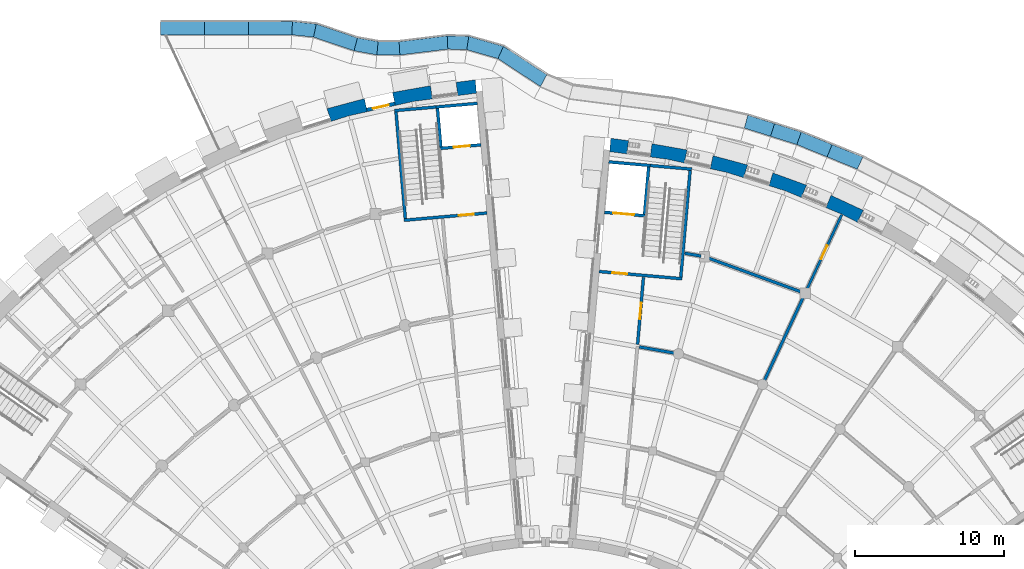
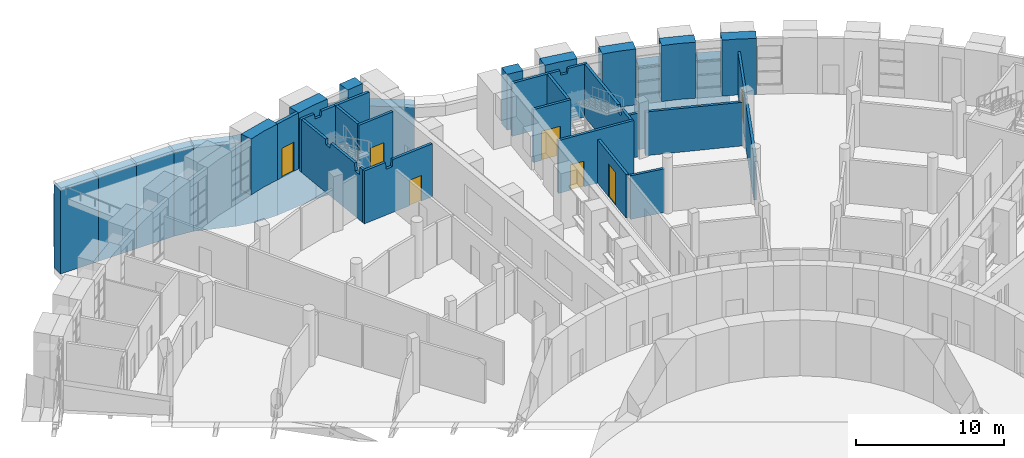
# One storey, part 59 of 85: 42 walls, 7 doors, 7 openings.
"""IFC4 building model written with IfcOpenShell, lengths in metres."""

from ifc_helpers import new_model, si_unit, direction, frame, frame_2d, origin, place, context, subcontext, project, spatial, polyline, rectangle, outline, extrude, material, layer, layer_set, type_object, element, fill, save


model = new_model("IFC4")

# Units and contexts
model_context = context("Model", 3, precision=1e-05, world=origin(), true_north=direction((0.0, 1.0)))
body_context = subcontext(model_context, "Body", "Model", "MODEL_VIEW")
ifc_project = project(units=[si_unit("LENGTHUNIT", "METRE"), si_unit("AREAUNIT", "SQUARE_METRE"), si_unit("VOLUMEUNIT", "CUBIC_METRE"), si_unit("PLANEANGLEUNIT", "RADIAN"), si_unit("MASSUNIT", "GRAM", prefix="KILO")], contexts=[model_context])

# Site, building, storey
site_placement = place(None, origin())
site = spatial("IfcSite", under=ifc_project, at=site_placement, CompositionType="ELEMENT")
building_placement = place(site_placement, origin())
building = spatial("IfcBuilding", under=site, at=building_placement, Name="Volute Hill Aquarium", CompositionType="ELEMENT")
storey_placement = place(building_placement, origin())
storey = spatial("IfcBuildingStorey", under=building, at=storey_placement, Name="L01", CompositionType="ELEMENT", Elevation=0.0)

# Wall, opening, door
ifc_material_1 = material(Name="Concrete C30/37", Category="concrete")
ifc_layer_1 = layer(ifc_material_1, 0.199951171875)
ifc_layer_set_1 = layer_set([ifc_layer_1], Name="Core wall 200 REI 60")
wall_type_1 = type_object("IfcWallType", Name="Core wall 200 REI 60", PredefinedType="SHEAR", material=ifc_layer_set_1)
wall_1_placement = place(storey_placement, frame((3.602783203125, 38.884033203125, 0.0), z_axis=(0.0, 0.0, 1.0), x_axis=(0.996195137027, -0.087150725554, 0.0)))
wall_1 = element("IfcWall", 1, at=wall_1_placement, inside=storey, type_object=wall_type_1, Name="wc/S5-B/L01/in", PredefinedType="SHEAR", context=body_context, shape_type="SweptSolid", body=[
    extrude(rectangle(XDim=5.599853515625, YDim=0.199951171875, at=frame_2d((2.7998046875, 0.0))), origin(), (0.0, 0.0, 1.0), 4.35009765625),
])
opening_1_placement = place(wall_1_placement, frame((0.89990234375, 0.0, 0.0)))
opening_1 = element("IfcOpeningElement", 2, at=opening_1_placement, cuts=wall_1, Name="Opening D5.01.BS", PredefinedType="OPENING", context=body_context, shape_type="SweptSolid", body=[
    extrude(rectangle(XDim=1.0, YDim=2.10009765625, at=frame_2d((0.5, 1.050048828125))), frame((0.0, 0.10986328125, 0.0), z_axis=(0.0, -1.0, 0.0), x_axis=(1.0, 0.0, 0.0)), (0.0, 0.0, 1.0), 0.219970703125),
])
ifc_material_2 = material(Name="Timber, fire-rated", Category="wood")
door_type_1 = type_object("IfcDoorType", Name="Door 1000 x 2100 single EI1 30", OperationType="SINGLE_SWING_LEFT", PredefinedType="DOOR", material=ifc_material_2)
door_1_placement = place(opening_1_placement, origin())
door_1 = element("IfcDoor", 3, at=door_1_placement, inside=storey, type_object=door_type_1, Name="d/S5-B/L01/st", OperationType="SINGLE_SWING_RIGHT", OverallHeight=2.10009765625, OverallWidth=1.0, PredefinedType="DOOR", context=body_context, shape_type="SweptSolid", body=[
    extrude(rectangle(XDim=1.0, YDim=2.10009765625, at=frame_2d((0.5, 1.050048828125))), frame((0.0, 0.02490234375, 0.0), z_axis=(0.0, -1.0, 0.0), x_axis=(1.0, 0.0, 0.0)), (0.0, 0.0, 1.0), 0.050048828125),
])
fill(opening_1, door_1)

# Walls
wall_2_placement = place(storey_placement, frame((9.090576171875, 38.504150390625, 0.0), z_axis=(0.0, 0.0, 1.0), x_axis=(0.087144656612, 0.996195667941, 0.0)))
element("IfcWall", 4, at=wall_2_placement, inside=storey, type_object=wall_type_1, Name="wc/S5-B/L01/side", PredefinedType="SHEAR", context=body_context, shape_type="SweptSolid", body=[
    extrude(outline(polyline([(0.0, 0.0), (7.199951171875, 0.0), (7.199951171875, 4.35009765625), (1.93017578125, 4.35009765625), (1.880126953125, 3.760009765625), (1.380126953125, 3.760009765625), (1.330078125, 4.35009765625), (0.0, 4.35009765625), (0.0, 0.0)])), frame((0.0, 0.10009765625, 0.0), z_axis=(0.0, -1.0, 0.0), x_axis=(1.0, 0.0, 0.0)), (0.0, 0.0, 1.0), 0.199951171875),
])
wall_3_placement = place(storey_placement, frame((7.037109375, 46.01171875, 0.0), z_axis=(0.0, 0.0, 1.0), x_axis=(0.996191351034, -0.087193991338, 0.0)))
element("IfcWall", 5, at=wall_3_placement, inside=storey, type_object=wall_type_1, Name="wc/S5-B/L01/out-b", PredefinedType="SHEAR", context=body_context, shape_type="SweptSolid", body=[
    extrude(outline(polyline([(0.0, 0.0), (2.800048828125, 0.0), (2.800048828125, 4.35009765625), (1.37255859375, 4.35009765625), (1.322509765625, 3.9599609375), (0.822509765625, 3.9599609375), (0.772705078125, 4.35009765625), (0.0, 4.35009765625), (0.0, 0.0)])), frame((0.0, 0.10009765625, 0.0), z_axis=(0.0, -1.0, 0.0), x_axis=(1.0, 0.0, 0.0)), (0.0, 0.0, 1.0), 0.199951171875),
])

# Wall, opening, door
wall_4_placement = place(storey_placement, frame((-3.947021484375, 42.81884765625, 0.0), z_axis=(0.0, 0.0, 1.0), x_axis=(-0.996195137027, -0.087150725554, 0.0)))
wall_4 = element("IfcWall", 6, at=wall_4_placement, inside=storey, type_object=wall_type_1, Name="wc/S6-A/L01/in", PredefinedType="SHEAR", context=body_context, shape_type="SweptSolid", body=[
    extrude(outline(polyline([(0.0, 0.0), (5.599853515625, 0.0), (5.60009765625, 4.35009765625), (3.853271484375, 4.35009765625), (3.80322265625, 3.780029296875), (3.30322265625, 3.780029296875), (3.253173828125, 4.35009765625), (0.0, 4.35009765625), (0.0, 0.0)])), frame((0.0, 0.10009765625, 0.0), z_axis=(0.0, -1.0, 0.0), x_axis=(1.0, 0.0, 0.0)), (0.0, 0.0, 1.0), 0.199951171875),
])
opening_2_placement = place(wall_4_placement, frame((0.89990234375, 0.0, 0.0)))
opening_2 = element("IfcOpeningElement", 7, at=opening_2_placement, cuts=wall_4, Name="Opening D6.01.AS", PredefinedType="OPENING", context=body_context, shape_type="SweptSolid", body=[
    extrude(rectangle(XDim=1.0, YDim=2.10009765625, at=frame_2d((0.5, 1.050048828125))), frame((0.0, 0.10986328125, 0.0), z_axis=(0.0, -1.0, 0.0), x_axis=(1.0, 0.0, 0.0)), (0.0, 0.0, 1.0), 0.219970703125),
])
door_2_placement = place(opening_2_placement, origin())
door_2 = element("IfcDoor", 8, at=door_2_placement, inside=storey, type_object=door_type_1, Name="d/S6-A/L01/st", OperationType="SINGLE_SWING_RIGHT", OverallHeight=2.10009765625, OverallWidth=1.0, PredefinedType="DOOR", context=body_context, shape_type="SweptSolid", body=[
    extrude(rectangle(XDim=1.0, YDim=2.10009765625, at=frame_2d((0.5, 1.050048828125))), frame((0.0, 0.02490234375, 0.0), z_axis=(0.0, -1.0, 0.0), x_axis=(1.0, 0.0, 0.0)), (0.0, 0.0, 1.0), 0.050048828125),
])
fill(opening_2, door_2)

# Walls
wall_5_placement = place(storey_placement, frame((-9.434814453125, 42.439208984375, 0.0), z_axis=(0.0, 0.0, 1.0), x_axis=(-0.087144656612, 0.996195667941, 0.0)))
element("IfcWall", 9, at=wall_5_placement, inside=storey, type_object=wall_type_1, Name="wc/S6-A/L01/side", PredefinedType="SHEAR", context=body_context, shape_type="SweptSolid", body=[
    extrude(outline(polyline([(0.0, 0.0), (7.199951171875, 0.0), (7.199951171875, 4.35009765625), (4.36767578125, 4.35009765625), (4.317626953125, 3.929931640625), (3.817626953125, 3.929931640625), (3.767578125, 4.35009765625), (0.942626953125, 4.35009765625), (0.892578125, 3.72998046875), (0.392578125, 3.72998046875), (0.342529296875, 4.35009765625), (0.0, 4.35009765625), (0.0, 0.0)])), frame((0.0, 0.10009765625, 0.0), z_axis=(0.0, -1.0, 0.0), x_axis=(1.0, 0.0, 0.0)), (0.0, 0.0, 1.0), 0.199951171875),
])
wall_6_placement = place(storey_placement, frame((-7.381103515625, 49.94677734375, 0.0), z_axis=(0.0, 0.0, 1.0), x_axis=(-0.996192013865, -0.087186418157, 0.0)))
element("IfcWall", 10, at=wall_6_placement, inside=storey, type_object=wall_type_1, Name="wc/S6-A/L01/out-b", PredefinedType="SHEAR", context=body_context, shape_type="SweptSolid", body=[
    extrude(outline(polyline([(0.0, 0.0), (2.80029296875, 0.0), (2.800048828125, 4.35009765625), (1.71826171875, 4.35009765625), (1.668212890625, 3.929931640625), (1.168212890625, 3.929931640625), (1.1181640625, 4.35009765625), (0.0, 4.35009765625), (0.0, 0.0)])), frame((0.0, 0.10009765625, 0.0), z_axis=(0.0, -1.0, 0.0), x_axis=(1.0, 0.0, 0.0)), (0.0, 0.0, 1.0), 0.199951171875),
])

# Wall, opening, door
ifc_material_3 = material(Name="Gypsum board on steel studs", Category="steel")
ifc_layer_2 = layer(ifc_material_3, 0.175048828125)
ifc_layer_set_2 = layer_set([ifc_layer_2], Name="Corridor partition 175 EI 60")
wall_type_2 = type_object("IfcWallType", Name="Corridor partition 175 EI 60", PredefinedType="PARTITIONING", material=ifc_layer_set_2)
wall_7_placement = place(storey_placement, frame((19.913818359375, 42.705078125, 0.0), z_axis=(0.0, 0.0, 1.0), x_axis=(-0.422617785161, -0.906308009269, 0.0)))
wall_7 = element("IfcWall", 11, at=wall_7_placement, inside=storey, type_object=wall_type_2, Name="pw/S5/L01/007", PredefinedType="PARTITIONING", context=body_context, shape_type="SweptSolid", body=[
    extrude(rectangle(XDim=5.592529296875, YDim=0.175048828125, at=frame_2d((2.79638671875, 0.0))), origin(), (0.0, 0.0, 1.0), 3.590087890625),
])
opening_3_placement = place(wall_7_placement, frame((2.29638671875, 0.0, 0.0)))
opening_3 = element("IfcOpeningElement", 12, at=opening_3_placement, cuts=wall_7, Name="Opening D5.01.09", PredefinedType="OPENING", context=body_context, shape_type="SweptSolid", body=[
    extrude(rectangle(XDim=1.0, YDim=2.10009765625, at=frame_2d((0.5, 1.050048828125))), frame((0.0, 0.097412109375, 0.0), z_axis=(0.0, -1.0, 0.0), x_axis=(1.0, 0.0, 0.0)), (0.0, 0.0, 1.0), 0.195068359375),
])
door_3_placement = place(opening_3_placement, origin())
door_3 = element("IfcDoor", 13, at=door_3_placement, inside=storey, type_object=door_type_1, Name="d/S5/L01/09", OperationType="SINGLE_SWING_LEFT", OverallHeight=2.10009765625, OverallWidth=1.0, PredefinedType="DOOR", context=body_context, shape_type="SweptSolid", body=[
    extrude(rectangle(XDim=1.0, YDim=2.10009765625, at=frame_2d((0.5, 1.050048828125))), frame((0.0, 0.02490234375, 0.0), z_axis=(0.0, -1.0, 0.0), x_axis=(1.0, 0.0, 0.0)), (0.0, 0.0, 1.0), 0.050048828125),
])
fill(opening_3, door_3)

# Walls
ifc_material_4 = material(Name="Masonry blockwork", Category="masonry")
ifc_layer_3 = layer(ifc_material_4, 0.199951171875)
ifc_layer_set_3 = layer_set([ifc_layer_3], Name="Fire partition 200 EI 60")
wall_type_3 = type_object("IfcWallType", Name="Fire partition 200 EI 60", PredefinedType="PARTITIONING", material=ifc_layer_set_3)
wall_8_placement = place(storey_placement, frame((10.911376953125, 39.798583984375, 0.0), z_axis=(0.0, 0.0, 1.0), x_axis=(0.939697881893, -0.342005688208, 0.0)))
element("IfcWall", 14, at=wall_8_placement, inside=storey, type_object=wall_type_3, Name="pw/S5/L01/002", PredefinedType="PARTITIONING", context=body_context, shape_type="SweptSolid", body=[
    extrude(rectangle(XDim=6.71728515625, YDim=0.199951171875, at=frame_2d((3.358642578125, 0.0))), origin(), (0.0, 0.0, 1.0), 3.590087890625),
])
wall_9_placement = place(storey_placement, frame((14.692138671875, 31.507568359375, 0.0), z_axis=(0.0, 0.0, 1.0), x_axis=(0.422645077375, 0.906295282218, 0.0)))
element("IfcWall", 15, at=wall_9_placement, inside=storey, type_object=wall_type_3, Name="pw/S5/L01/004", PredefinedType="PARTITIONING", context=body_context, shape_type="SweptSolid", body=[
    extrude(rectangle(XDim=6.283203125, YDim=0.199951171875, at=frame_2d((3.1416015625, 0.0))), origin(), (0.0, 0.0, 1.0), 3.590087890625),
])

# Wall, opening, door
wall_10_placement = place(storey_placement, frame((6.579833984375, 38.492919921875, 0.0), z_axis=(0.0, 0.0, 1.0), x_axis=(-0.087139507724, -0.996196118339, 0.0)))
wall_10 = element("IfcWall", 16, at=wall_10_placement, inside=storey, type_object=wall_type_3, Name="pw/S5/L01/011", PredefinedType="PARTITIONING", context=body_context, shape_type="SweptSolid", body=[
    extrude(rectangle(XDim=4.524658203125, YDim=0.199951171875, at=frame_2d((2.26220703125, 0.0))), origin(), (0.0, 0.0, 1.0), 3.590087890625),
])
opening_4_placement = place(wall_10_placement, frame((1.71240234375, 0.0, 0.0)))
opening_4 = element("IfcOpeningElement", 17, at=opening_4_placement, cuts=wall_10, Name="Opening D5.01.07", PredefinedType="OPENING", context=body_context, shape_type="SweptSolid", body=[
    extrude(rectangle(XDim=1.10009765625, YDim=2.699951171875, at=frame_2d((0.550048828125, 1.35009765625))), frame((0.0, 0.10986328125, 0.0), z_axis=(0.0, -1.0, 0.0), x_axis=(1.0, 0.0, 0.0)), (0.0, 0.0, 1.0), 0.219970703125),
])
ifc_material_5 = material(Name="Steel, fire-rated", Category="steel")
door_type_2 = type_object("IfcDoorType", Name="Door 1100 x 2700 animal care EI1 30", OperationType="SINGLE_SWING_LEFT", PredefinedType="DOOR", material=ifc_material_5)
door_4_placement = place(opening_4_placement, origin())
door_4 = element("IfcDoor", 18, at=door_4_placement, inside=storey, type_object=door_type_2, Name="d/S5/L01/07", OperationType="SINGLE_SWING_LEFT", OverallHeight=2.699951171875, OverallWidth=1.10009765625, PredefinedType="DOOR", context=body_context, shape_type="SweptSolid", body=[
    extrude(rectangle(XDim=1.10009765625, YDim=2.699951171875, at=frame_2d((0.550048828125, 1.35009765625))), frame((0.0, 0.02490234375, 0.0), z_axis=(0.0, -1.0, 0.0), x_axis=(1.0, 0.0, 0.0)), (0.0, 0.0, 1.0), 0.050048828125),
])
fill(opening_4, door_4)

# Walls
wall_11_placement = place(storey_placement, frame((6.300537109375, 33.813232421875, 0.0), z_axis=(0.0, 0.0, 1.0), x_axis=(0.984800706445, -0.173688135993, 0.0)))
element("IfcWall", 19, at=wall_11_placement, inside=storey, type_object=wall_type_3, Name="pw/S5/L01/021", PredefinedType="PARTITIONING", context=body_context, shape_type="SweptSolid", body=[
    extrude(rectangle(XDim=2.43603515625, YDim=0.199951171875, at=frame_2d((1.218017578125, 0.0))), origin(), (0.0, 0.0, 1.0), 3.590087890625),
])
wall_12_placement = place(storey_placement, frame((9.36181640625, 40.1142578125, 0.0), z_axis=(0.0, 0.0, 1.0), x_axis=(0.984796905189, -0.173709687495, 0.0)))
element("IfcWall", 20, at=wall_12_placement, inside=storey, type_object=wall_type_3, Name="pw/S5/L01/033", PredefinedType="PARTITIONING", context=body_context, shape_type="SweptSolid", body=[
    extrude(rectangle(XDim=1.104736328125, YDim=0.199951171875, at=frame_2d((0.55224609375, 0.0))), origin(), (0.0, 0.0, 1.0), 3.590087890625),
])

# Wall, opening, door
ifc_material_6 = material(Name="Concrete C30/37", Category="concrete")
ifc_layer_4 = layer(ifc_material_6, 0.25)
ifc_layer_set_4 = layer_set([ifc_layer_4], Name="Niche back wall full height 250")
wall_type_4 = type_object("IfcWallType", Name="Niche back wall full height 250", PredefinedType="NOTDEFINED", material=ifc_layer_set_4)
wall_13_placement = place(storey_placement, frame((-12.0205078125, 49.753662109375, 0.0), z_axis=(0.0, 0.0, 1.0), x_axis=(0.97630573903, 0.216395711457, 0.0)))
wall_13 = element("IfcWall", 21, at=wall_13_placement, inside=storey, type_object=wall_type_4, Name="Niche back wall OWN S6 L01 2", PredefinedType="NOTDEFINED", context=body_context, shape_type="SweptSolid", body=[
    extrude(rectangle(XDim=1.933837890625, YDim=0.25, at=frame_2d((0.966796875, 0.0))), origin(), (0.0, 0.0, 1.0), 4.60009765625),
])
opening_5_placement = place(wall_13_placement, frame((0.4169921875, 0.0, 0.0)))
opening_5 = element("IfcOpeningElement", 22, at=opening_5_placement, cuts=wall_13, Name="Opening ED10", PredefinedType="OPENING", context=body_context, shape_type="SweptSolid", body=[
    extrude(rectangle(XDim=1.10009765625, YDim=2.39990234375, at=frame_2d((0.550048828125, 1.199951171875))), frame((0.0, 0.135009765625, 0.0), z_axis=(0.0, -1.0, 0.0), x_axis=(1.0, 0.0, 0.0)), (0.0, 0.0, 1.0), 0.27001953125),
])
ifc_material_7 = material(Name="Steel", Category="steel")
door_type_3 = type_object("IfcDoorType", Name="Steel single door 1100x2400", OperationType="SINGLE_SWING_RIGHT", PredefinedType="DOOR", material=ifc_material_7)
door_5_placement = place(opening_5_placement, origin())
door_5 = element("IfcDoor", 23, at=door_5_placement, inside=storey, type_object=door_type_3, Name="External door ED10 S6 L01", OperationType="SINGLE_SWING_RIGHT", OverallHeight=2.39990234375, OverallWidth=1.10009765625, PredefinedType="DOOR", context=body_context, shape_type="SweptSolid", body=[
    extrude(rectangle(XDim=1.10009765625, YDim=2.39990234375, at=frame_2d((0.550048828125, 1.199951171875))), frame((0.0, 0.02490234375, 0.0), z_axis=(0.0, -1.0, 0.0), x_axis=(1.0, 0.0, 0.0)), (0.0, 0.0, 1.0), 0.050048828125),
])
fill(opening_5, door_5)

# Walls
ifc_material_8 = material(Name="Precast concrete C40/50", Category="concrete")
ifc_layer_5 = layer(ifc_material_8, 0.89990234375)
ifc_layer_set_5 = layer_set([ifc_layer_5], Name="Outer pier precast concrete C40/50 900")
wall_type_5 = type_object("IfcWallType", Name="Outer pier precast concrete C40/50 900", PredefinedType="NOTDEFINED", material=ifc_layer_set_5)
wall_14_placement = place(storey_placement, origin())
element("IfcWall", 24, at=wall_14_placement, inside=storey, type_object=wall_type_5, Name="Outer pier OWP S5 L01 7", PredefinedType="NOTDEFINED", context=body_context, shape_type="SweptSolid", body=[
    extrude(outline(polyline([(20.95849609375, 42.194580078125), (21.374267578125, 42.992919921875), (19.1953125, 44.009033203125), (18.85107421875, 43.177490234375), (19.92626953125, 42.73193359375), (20.95849609375, 42.194580078125)])), origin(), (0.0, 0.0, 1.0), 4.60009765625),
])
wall_15_placement = place(storey_placement, origin())
element("IfcWall", 25, at=wall_15_placement, inside=storey, type_object=wall_type_5, Name="Outer pier OWP S5 L01 8", PredefinedType="NOTDEFINED", context=body_context, shape_type="SweptSolid", body=[
    extrude(outline(polyline([(17.201416015625, 43.86083984375), (17.545654296875, 44.6923828125), (15.286865234375, 45.514404296875), (15.01611328125, 44.656005859375), (16.126220703125, 44.30615234375), (17.201416015625, 43.86083984375)])), origin(), (0.0, 0.0, 1.0), 4.60009765625),
])
wall_16_placement = place(storey_placement, origin())
element("IfcWall", 26, at=wall_16_placement, inside=storey, type_object=wall_type_5, Name="Outer pier OWP S5 L01 9", PredefinedType="NOTDEFINED", context=body_context, shape_type="SweptSolid", body=[
    extrude(outline(polyline([(13.313232421875, 45.193115234375), (13.583740234375, 46.05126953125), (11.26171875, 46.673583984375), (11.06689453125, 45.794921875), (12.203125, 45.54296875), (13.313232421875, 45.193115234375)])), origin(), (0.0, 0.0, 1.0), 4.60009765625),
])
wall_17_placement = place(storey_placement, origin())
element("IfcWall", 27, at=wall_17_placement, inside=storey, type_object=wall_type_5, Name="Outer pier OWP S5 L01 10", PredefinedType="NOTDEFINED", context=body_context, shape_type="SweptSolid", body=[
    extrude(outline(polyline([(9.32373046875, 46.181396484375), (9.5185546875, 47.06005859375), (7.151123046875, 47.4775390625), (7.03369140625, 46.585205078125), (8.1875, 46.433349609375), (9.32373046875, 46.181396484375)])), origin(), (0.0, 0.0, 1.0), 4.60009765625),
])
wall_18_placement = place(storey_placement, origin())
element("IfcWall", 28, at=wall_18_placement, inside=storey, type_object=wall_type_5, Name="Outer pier OWP S5 L01 11", PredefinedType="NOTDEFINED", context=body_context, shape_type="SweptSolid", body=[
    extrude(outline(polyline([(5.461669921875, 46.7919921875), (5.5791015625, 47.684326171875), (4.38623046875, 47.841552734375), (4.307861328125, 46.944091796875), (5.461669921875, 46.7919921875)])), origin(), (0.0, 0.0, 1.0), 4.60009765625),
])
wall_19_placement = place(storey_placement, origin())
element("IfcWall", 29, at=wall_19_placement, inside=storey, type_object=wall_type_5, Name="Outer pier OWP S6 L01 1", PredefinedType="NOTDEFINED", context=body_context, shape_type="SweptSolid", body=[
    extrude(outline(polyline([(-4.652099609375, 50.87890625), (-4.730712890625, 51.7763671875), (-6.020751953125, 51.6064453125), (-5.9033203125, 50.714111328125), (-4.652099609375, 50.87890625)])), origin(), (0.0, 0.0, 1.0), 4.60009765625),
])
wall_20_placement = place(storey_placement, origin())
element("IfcWall", 30, at=wall_20_placement, inside=storey, type_object=wall_type_5, Name="Outer pier OWP S6 L01 2", PredefinedType="NOTDEFINED", context=body_context, shape_type="SweptSolid", body=[
    extrude(outline(polyline([(-7.6220703125, 50.488037109375), (-7.739501953125, 51.380126953125), (-10.30029296875, 50.9287109375), (-10.10546875, 50.050048828125), (-8.873291015625, 50.3232421875), (-7.6220703125, 50.488037109375)])), origin(), (0.0, 0.0, 1.0), 4.60009765625),
])
wall_21_placement = place(storey_placement, origin())
element("IfcWall", 31, at=wall_21_placement, inside=storey, type_object=wall_type_5, Name="Outer pier OWP S6 L01 3", PredefinedType="NOTDEFINED", context=body_context, shape_type="SweptSolid", body=[
    extrude(outline(polyline([(-11.993408203125, 49.631591796875), (-12.188232421875, 50.51025390625), (-14.69970703125, 49.837158203125), (-14.42919921875, 48.97900390625), (-13.2255859375, 49.3583984375), (-11.993408203125, 49.631591796875)])), origin(), (0.0, 0.0, 1.0), 4.60009765625),
])
ifc_material_9 = material(Name="Concrete C30/37", Category="concrete")
ifc_layer_6 = layer(ifc_material_9, 0.199951171875)
ifc_layer_set_6 = layer_set([ifc_layer_6], Name="Shaft wall 200 EI 60")
wall_type_6 = type_object("IfcWallType", Name="Shaft wall 200 EI 60", PredefinedType="SOLIDWALL", material=ifc_layer_set_6)
wall_22_placement = place(storey_placement, frame((4.24755859375, 46.255859375, 0.0), z_axis=(0.0, 0.0, 1.0), x_axis=(0.996192013865, -0.087186418157, 0.0)))
element("IfcWall", 32, at=wall_22_placement, inside=storey, type_object=wall_type_6, Name="wc/S5-B/L01/out-a", PredefinedType="SOLIDWALL", context=body_context, shape_type="SweptSolid", body=[
    extrude(rectangle(XDim=2.80029296875, YDim=0.199951171875, at=frame_2d((1.400146484375, 0.0))), origin(), (0.0, 0.0, 1.0), 4.35009765625),
])

# Wall, opening, door
wall_23_placement = place(storey_placement, frame((3.951416015625, 42.868896484375, 0.0), z_axis=(0.0, 0.0, 1.0), x_axis=(0.99619068803, -0.087201565829, 0.0)))
wall_23 = element("IfcWall", 33, at=wall_23_placement, inside=storey, type_object=wall_type_6, Name="wc/S5-B/L01/front", PredefinedType="SOLIDWALL", context=body_context, shape_type="SweptSolid", body=[
    extrude(rectangle(XDim=2.7998046875, YDim=0.199951171875, at=frame_2d((1.39990234375, 0.0))), origin(), (0.0, 0.0, 1.0), 4.35009765625),
])
opening_6_placement = place(wall_23_placement, frame((0.60009765625, 0.0, 0.0)))
opening_6 = element("IfcOpeningElement", 34, at=opening_6_placement, cuts=wall_23, Name="Opening LD5.01.B", PredefinedType="OPENING", context=body_context, shape_type="SweptSolid", body=[
    extrude(rectangle(XDim=1.39990234375, YDim=2.39990234375, at=frame_2d((0.699951171875, 1.199951171875))), frame((0.0, 0.10986328125, 0.0), z_axis=(0.0, -1.0, 0.0), x_axis=(1.0, 0.0, 0.0)), (0.0, 0.0, 1.0), 0.219970703125),
])
ifc_material_10 = material(Name="Steel", Category="steel")
door_type_4 = type_object("IfcDoorType", Name="Lift landing door 1400 x 2400 goods", OperationType="SLIDING_TO_LEFT", PredefinedType="DOOR", material=ifc_material_10)
door_6_placement = place(opening_6_placement, origin())
door_6 = element("IfcDoor", 35, at=door_6_placement, inside=storey, type_object=door_type_4, Name="d/S5-B/L01/ld", OperationType="SLIDING_TO_LEFT", OverallHeight=2.39990234375, OverallWidth=1.39990234375, PredefinedType="DOOR", context=body_context, shape_type="SweptSolid", body=[
    extrude(rectangle(XDim=1.39990234375, YDim=2.39990234375, at=frame_2d((0.699951171875, 1.199951171875))), frame((0.0, 0.02490234375, 0.0), z_axis=(0.0, -1.0, 0.0), x_axis=(1.0, 0.0, 0.0)), (0.0, 0.0, 1.0), 0.050048828125),
])
fill(opening_6, door_6)

# Walls
wall_24_placement = place(storey_placement, frame((6.649658203125, 42.73291015625, 0.0), z_axis=(0.0, 0.0, 1.0), x_axis=(0.087199127005, 0.996190901509, 0.0)))
element("IfcWall", 36, at=wall_24_placement, inside=storey, type_object=wall_type_6, Name="wc/S5-B/L01/shaft-side", PredefinedType="SOLIDWALL", context=body_context, shape_type="SweptSolid", body=[
    extrude(rectangle(XDim=3.2001953125, YDim=0.199951171875, at=frame_2d((1.60009765625, 0.0))), origin(), (0.0, 0.0, 1.0), 4.35009765625),
])
wall_25_placement = place(storey_placement, frame((-4.591796875, 50.19091796875, 0.0), z_axis=(0.0, 0.0, 1.0), x_axis=(-0.996191351034, -0.087193991338, 0.0)))
element("IfcWall", 37, at=wall_25_placement, inside=storey, type_object=wall_type_6, Name="wc/S6-A/L01/out-a", PredefinedType="SOLIDWALL", context=body_context, shape_type="SweptSolid", body=[
    extrude(rectangle(XDim=2.800048828125, YDim=0.199951171875, at=frame_2d((1.39990234375, 0.0))), origin(), (0.0, 0.0, 1.0), 4.35009765625),
])

# Wall, opening, door
wall_26_placement = place(storey_placement, frame((-4.347900390625, 47.4013671875, 0.0), z_axis=(0.0, 0.0, 1.0), x_axis=(-0.996198921169, -0.087107459278, 0.0)))
wall_26 = element("IfcWall", 38, at=wall_26_placement, inside=storey, type_object=wall_type_6, Name="wc/S6-A/L01/front", PredefinedType="SOLIDWALL", context=body_context, shape_type="SweptSolid", body=[
    extrude(rectangle(XDim=2.800048828125, YDim=0.199951171875, at=frame_2d((1.39990234375, 0.0))), origin(), (0.0, 0.0, 1.0), 4.35009765625),
])
opening_7_placement = place(wall_26_placement, frame((0.75, 0.0, 0.0)))
opening_7 = element("IfcOpeningElement", 39, at=opening_7_placement, cuts=wall_26, Name="Opening LD6.01.A", PredefinedType="OPENING", context=body_context, shape_type="SweptSolid", body=[
    extrude(rectangle(XDim=1.10009765625, YDim=2.10009765625, at=frame_2d((0.550048828125, 1.050048828125))), frame((0.0, 0.10986328125, 0.0), z_axis=(0.0, -1.0, 0.0), x_axis=(1.0, 0.0, 0.0)), (0.0, 0.0, 1.0), 0.219970703125),
])
ifc_material_11 = material(Name="Stainless steel", Category="steel")
door_type_5 = type_object("IfcDoorType", Name="Lift landing door 1100 x 2100", OperationType="SLIDING_TO_LEFT", PredefinedType="DOOR", material=ifc_material_11)
door_7_placement = place(opening_7_placement, origin())
door_7 = element("IfcDoor", 40, at=door_7_placement, inside=storey, type_object=door_type_5, Name="d/S6-A/L01/ld", OperationType="SLIDING_TO_LEFT", OverallHeight=2.10009765625, OverallWidth=1.10009765625, PredefinedType="DOOR", context=body_context, shape_type="SweptSolid", body=[
    extrude(rectangle(XDim=1.10009765625, YDim=2.10009765625, at=frame_2d((0.550048828125, 1.050048828125))), frame((0.0, 0.02490234375, 0.0), z_axis=(0.0, -1.0, 0.0), x_axis=(1.0, 0.0, 0.0)), (0.0, 0.0, 1.0), 0.050048828125),
])
fill(opening_7, door_7)

# Walls
wall_27_placement = place(storey_placement, frame((-7.04638671875, 47.265625, 0.0), z_axis=(0.0, 0.0, 1.0), x_axis=(-0.087140158824, 0.996196061386, 0.0)))
element("IfcWall", 41, at=wall_27_placement, inside=storey, type_object=wall_type_6, Name="wc/S6-A/L01/shaft-side", PredefinedType="SOLIDWALL", context=body_context, shape_type="SweptSolid", body=[
    extrude(rectangle(XDim=2.60009765625, YDim=0.199951171875, at=frame_2d((1.300048828125, 0.0))), origin(), (0.0, 0.0, 1.0), 4.35009765625),
])
ifc_material_12 = material(Name="Concrete C30/37", Category="concrete")
ifc_layer_7 = layer(ifc_material_12, 0.89990234375)
ifc_layer_set_7 = layer_set([ifc_layer_7], Name="Site edge retaining wall C30/37 900")
wall_type_7 = type_object("IfcWallType", Name="Site edge retaining wall C30/37 900", PredefinedType="SOLIDWALL", material=ifc_layer_set_7)
wall_28_placement = place(storey_placement, frame((0.0, 0.0, -6.0)))
element("IfcWall", 42, at=wall_28_placement, inside=storey, type_object=wall_type_7, Name="rw/E64UP/L01/0", PredefinedType="SOLIDWALL", context=body_context, shape_type="SweptSolid", body=[
    extrude(outline(polyline([(21.339599609375, 46.583984375), (19.267822265625, 47.425537109375), (18.928955078125, 46.591796875), (20.96435546875, 45.764892578125), (20.96435546875, 45.764892578125), (21.339599609375, 46.583984375), (21.339599609375, 46.583984375)])), origin(), (0.0, 0.0, 1.0), 6.85009765625),
])
wall_29_placement = place(storey_placement, frame((0.0, 0.0, -6.0)))
element("IfcWall", 43, at=wall_29_placement, inside=storey, type_object=wall_type_7, Name="rw/E64UP/L01/1", PredefinedType="SOLIDWALL", context=body_context, shape_type="SweptSolid", body=[
    extrude(outline(polyline([(17.197509765625, 48.266845703125), (17.197509765625, 48.266845703125), (16.892333984375, 47.41943359375), (16.892333984375, 47.41943359375), (18.928955078125, 46.591796875), (19.267822265625, 47.425537109375), (17.197509765625, 48.266845703125)])), origin(), (0.0, 0.0, 1.0), 6.85009765625),
])
wall_30_placement = place(storey_placement, frame((0.0, 0.0, -6.0)))
element("IfcWall", 44, at=wall_30_placement, inside=storey, type_object=wall_type_7, Name="rw/E65UP/L01/0", PredefinedType="SOLIDWALL", context=body_context, shape_type="SweptSolid", body=[
    extrude(outline(polyline([(17.197509765625, 48.266845703125), (15.398681640625, 48.833984375), (15.1279296875, 47.9755859375), (16.892333984375, 47.41943359375), (17.197509765625, 48.266845703125)])), origin(), (0.0, 0.0, 1.0), 6.85009765625),
])
wall_31_placement = place(storey_placement, frame((0.0, 0.0, -6.0)))
element("IfcWall", 45, at=wall_31_placement, inside=storey, type_object=wall_type_7, Name="rw/E65UP/L01/1", PredefinedType="SOLIDWALL", context=body_context, shape_type="SweptSolid", body=[
    extrude(outline(polyline([(13.598388671875, 49.401611328125), (13.598388671875, 49.401611328125), (13.365234375, 48.531494140625), (13.365234375, 48.531494140625), (15.1279296875, 47.9755859375), (15.398681640625, 48.833984375), (13.598388671875, 49.401611328125)])), origin(), (0.0, 0.0, 1.0), 6.85009765625),
])
wall_32_placement = place(storey_placement, frame((0.0, 0.0, -6.0)))
element("IfcWall", 46, at=wall_32_placement, inside=storey, type_object=wall_type_7, Name="rw/E69UP/L01/0", PredefinedType="SOLIDWALL", context=body_context, shape_type="SweptSolid", body=[
    extrude(outline(polyline([(0.07958984375, 52.1201171875), (-2.83056640625, 54.029541015625), (-3.210205078125, 53.2021484375), (-0.344482421875, 51.32177734375), (-0.344482421875, 51.32177734375), (0.07958984375, 52.1201171875), (0.07958984375, 52.1201171875)])), origin(), (0.0, 0.0, 1.0), 6.85009765625),
])
wall_33_placement = place(storey_placement, frame((0.0, 0.0, -6.0)))
element("IfcWall", 47, at=wall_33_placement, inside=storey, type_object=wall_type_7, Name="rw/E70UP/L01/0", PredefinedType="SOLIDWALL", context=body_context, shape_type="SweptSolid", body=[
    extrude(outline(polyline([(-5.16748046875, 54.699951171875), (-5.16748046875, 54.699951171875), (-5.305908203125, 53.803466796875), (-5.305908203125, 53.803466796875), (-3.210205078125, 53.2021484375), (-3.210205078125, 53.2021484375), (-2.83056640625, 54.029541015625), (-2.83056640625, 54.029541015625), (-5.16748046875, 54.699951171875)])), origin(), (0.0, 0.0, 1.0), 6.85009765625),
])
wall_34_placement = place(storey_placement, frame((0.0, 0.0, -6.0)))
element("IfcWall", 48, at=wall_34_placement, inside=storey, type_object=wall_type_7, Name="rw/E71UP/L01/0", PredefinedType="SOLIDWALL", context=body_context, shape_type="SweptSolid", body=[
    extrude(outline(polyline([(-5.16748046875, 54.699951171875), (-6.619384765625, 54.739013671875), (-6.576416015625, 53.837646484375), (-5.305908203125, 53.803466796875), (-5.16748046875, 54.699951171875)])), origin(), (0.0, 0.0, 1.0), 6.85009765625),
])
wall_35_placement = place(storey_placement, frame((0.0, 0.0, -6.0)))
element("IfcWall", 49, at=wall_35_placement, inside=storey, type_object=wall_type_7, Name="rw/E72UP/L01/0", PredefinedType="SOLIDWALL", context=body_context, shape_type="SweptSolid", body=[
    extrude(outline(polyline([(-6.619384765625, 54.739013671875), (-9.85546875, 54.34326171875), (-9.803466796875, 53.44287109375), (-6.576416015625, 53.837646484375), (-6.576416015625, 53.837646484375), (-6.619384765625, 54.739013671875), (-6.619384765625, 54.739013671875)])), origin(), (0.0, 0.0, 1.0), 6.85009765625),
])
wall_36_placement = place(storey_placement, frame((0.0, 0.0, -6.0)))
element("IfcWall", 50, at=wall_36_placement, inside=storey, type_object=wall_type_7, Name="rw/E73UP/L01/0", PredefinedType="SOLIDWALL", context=body_context, shape_type="SweptSolid", body=[
    extrude(outline(polyline([(-9.85546875, 54.34326171875), (-11.2666015625, 54.3515625), (-11.34912109375, 53.4521484375), (-9.803466796875, 53.44287109375), (-9.803466796875, 53.44287109375), (-9.85546875, 54.34326171875), (-9.85546875, 54.34326171875)])), origin(), (0.0, 0.0, 1.0), 6.85009765625),
])
wall_37_placement = place(storey_placement, frame((0.0, 0.0, -6.0)))
element("IfcWall", 51, at=wall_37_placement, inside=storey, type_object=wall_type_7, Name="rw/E74UP/L01/0", PredefinedType="SOLIDWALL", context=body_context, shape_type="SweptSolid", body=[
    extrude(outline(polyline([(-12.658935546875, 54.6005859375), (-12.658935546875, 54.6005859375), (-12.883056640625, 53.7265625), (-12.883056640625, 53.7265625), (-11.34912109375, 53.4521484375), (-11.34912109375, 53.4521484375), (-11.2666015625, 54.3515625), (-11.2666015625, 54.3515625), (-12.658935546875, 54.6005859375)])), origin(), (0.0, 0.0, 1.0), 6.85009765625),
])
wall_38_placement = place(storey_placement, frame((0.0, 0.0, -6.0)))
element("IfcWall", 52, at=wall_38_placement, inside=storey, type_object=wall_type_7, Name="rw/E75UP/L01/0", PredefinedType="SOLIDWALL", context=body_context, shape_type="SweptSolid", body=[
    extrude(outline(polyline([(-12.658935546875, 54.6005859375), (-15.420166015625, 55.5322265625), (-15.61328125, 54.6474609375), (-15.61328125, 54.6474609375), (-12.883056640625, 53.7265625), (-12.658935546875, 54.6005859375)])), origin(), (0.0, 0.0, 1.0), 6.85009765625),
])
wall_39_placement = place(storey_placement, frame((0.0, 0.0, -6.0)))
element("IfcWall", 53, at=wall_39_placement, inside=storey, type_object=wall_type_7, Name="rw/E76UP/L01/0", PredefinedType="SOLIDWALL", context=body_context, shape_type="SweptSolid", body=[
    extrude(outline(polyline([(-17.025390625, 55.699951171875), (-17.025390625, 55.699951171875), (-17.072021484375, 54.800048828125), (-15.61328125, 54.6474609375), (-15.420166015625, 55.5322265625), (-15.420166015625, 55.5322265625), (-17.025390625, 55.699951171875)])), origin(), (0.0, 0.0, 1.0), 6.85009765625),
])
wall_40_placement = place(storey_placement, frame((0.0, 0.0, -6.0)))
element("IfcWall", 54, at=wall_40_placement, inside=storey, type_object=wall_type_7, Name="rw/E77UP/L01/0", PredefinedType="SOLIDWALL", context=body_context, shape_type="SweptSolid", body=[
    extrude(outline(polyline([(-17.025390625, 55.699951171875), (-19.998291015625, 55.697021484375), (-19.997314453125, 54.797119140625), (-17.072021484375, 54.800048828125), (-17.072021484375, 54.800048828125), (-17.025390625, 55.699951171875)])), origin(), (0.0, 0.0, 1.0), 6.85009765625),
])
wall_41_placement = place(storey_placement, frame((0.0, 0.0, -6.0)))
element("IfcWall", 55, at=wall_41_placement, inside=storey, type_object=wall_type_7, Name="rw/E77UP/L01/1", PredefinedType="SOLIDWALL", context=body_context, shape_type="SweptSolid", body=[
    extrude(outline(polyline([(-19.998291015625, 55.697021484375), (-22.947265625, 55.6943359375), (-22.946533203125, 54.794189453125), (-19.997314453125, 54.797119140625), (-19.998291015625, 55.697021484375)])), origin(), (0.0, 0.0, 1.0), 6.85009765625),
])
wall_42_placement = place(storey_placement, frame((0.0, 0.0, -6.0)))
element("IfcWall", 56, at=wall_42_placement, inside=storey, type_object=wall_type_7, Name="rw/E77UP/L01/2", PredefinedType="SOLIDWALL", context=body_context, shape_type="SweptSolid", body=[
    extrude(outline(polyline([(-22.947265625, 55.6943359375), (-25.896484375, 55.69140625), (-25.8955078125, 54.79150390625), (-22.946533203125, 54.794189453125), (-22.947265625, 55.6943359375)])), origin(), (0.0, 0.0, 1.0), 6.85009765625),
])

save(model, "model.ifc")
